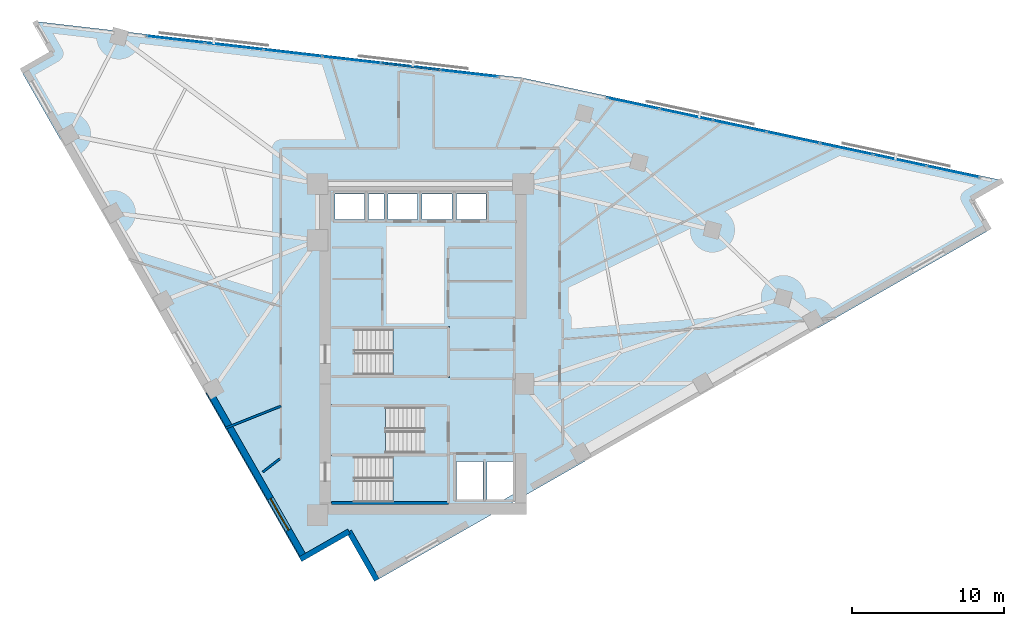
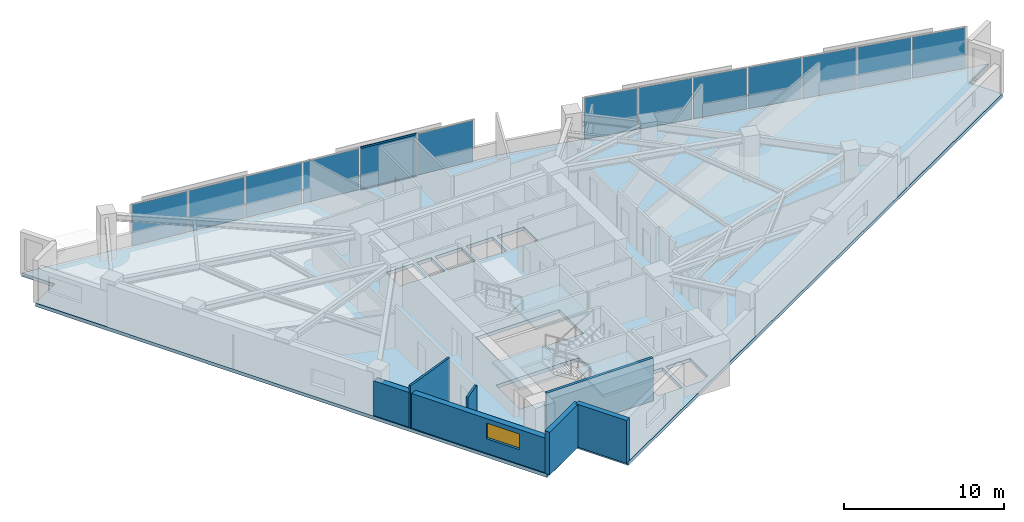
# One storey, part 8 of 14: 13 plates, 6 walls, 4 slabs, 2 members, 1 window, 1 opening, 5 elements without a shape of their own.
"""IFC4 building model written with IfcOpenShell, lengths in metres."""

from ifc_helpers import new_model, si_unit, direction, frame, frame_2d, origin, origin_2d, place, context, subcontext, project, spatial, polyline, rectangle, hollow_rectangle, outline, extrude, material, layer, layer_set, material_profile, profile_set, type_object, element, fill, aggregate, save


model = new_model("IFC4")

# Units and contexts
model_context = context("Model", 3, precision=1e-05, world=origin(), true_north=direction((0.0, 1.0)))
body_context = subcontext(model_context, "Body", "Model", "MODEL_VIEW")
ifc_project = project(units=[si_unit("LENGTHUNIT", "METRE"), si_unit("AREAUNIT", "SQUARE_METRE"), si_unit("VOLUMEUNIT", "CUBIC_METRE"), si_unit("PLANEANGLEUNIT", "RADIAN"), si_unit("MASSUNIT", "GRAM", prefix="KILO")], contexts=[model_context])

# Site, building, storey
site_placement = place(None, origin())
site = spatial("IfcSite", under=ifc_project, at=site_placement, CompositionType="ELEMENT")
building_placement = place(site_placement, origin())
building = spatial("IfcBuilding", under=site, at=building_placement, Name="Narakoshi Arena Tower", CompositionType="ELEMENT")
storey_placement = place(building_placement, frame((0.0, 0.0, 211.4599609375)))
storey = spatial("IfcBuildingStorey", under=building, at=storey_placement, Name="L57", CompositionType="ELEMENT", Elevation=211.4599609375)

# Curtain wall, members
ifc_material_1 = material(Name="Anodised bronze aluminium 6063-T6", Category="aluminium")
curtain_wall_type = type_object("IfcCurtainWallType", Name="CW-HYP-MID", PredefinedType="NOTDEFINED", material=ifc_material_1)
curtain_wall_1_placement = place(storey_placement, origin())
curtain_wall_1 = element("IfcCurtainWall", 1, at=curtain_wall_1_placement, inside=storey, type_object=curtain_wall_type, Name="L57 Folded Hypotenuse Curtain Wall 2-1", PredefinedType="NOTDEFINED")
ifc_material_profile = material_profile(ifc_material_1, hollow_rectangle(XDim=0.06494140625, YDim=0.1298828125, WallThickness=0.00390625, OuterFilletRadius=0.0048828125, at=origin_2d()), Name="TRN130x65x4")
ifc_profile_set = profile_set([ifc_material_profile], Name="Anodised bronze aluminium 6063-T6")
member_type = type_object("IfcMemberType", Name="MEM-TRN-130", PredefinedType="USERDEFINED", material=ifc_profile_set)
member_1_placement = place(storey_placement, frame((80.032470703125, 64.002685546875, 0.032470703125), z_axis=(-0.993360986362, 0.115038909828, 0.0), x_axis=(-0.115038909828, -0.993360986362, 0.0)))
member_1 = element("IfcMember", 2, at=member_1_placement, type_object=member_type, Name="CW-02 transom 2.1", ObjectType="TRANSOM", PredefinedType="USERDEFINED", context=body_context, shape_type="SweptSolid", body=[
    extrude(hollow_rectangle(XDim=0.06494140625, YDim=0.1298828125, WallThickness=0.00390625, OuterFilletRadius=0.0048828125, at=origin_2d()), origin(), (0.0, 0.0, 1.0), 3.820068359375),
])
member_2_placement = place(storey_placement, frame((80.032470703125, 64.002685546875, 3.2275390625), z_axis=(-0.993360986362, 0.115038909828, 0.0), x_axis=(-0.115038909828, -0.993360986362, 0.0)))
member_2 = element("IfcMember", 3, at=member_2_placement, type_object=member_type, Name="CW-02 transom 2.2", ObjectType="TRANSOM", PredefinedType="USERDEFINED", context=body_context, shape_type="SweptSolid", body=[
    extrude(hollow_rectangle(XDim=0.06494140625, YDim=0.1298828125, WallThickness=0.00390625, OuterFilletRadius=0.0048828125, at=origin_2d()), origin(), (0.0, 0.0, 1.0), 3.820068359375),
])

# Curtain wall, plates
curtain_wall_2_placement = place(storey_placement, origin())
curtain_wall_2 = element("IfcCurtainWall", 4, at=curtain_wall_2_placement, inside=storey, type_object=curtain_wall_type, Name="L57 Folded Hypotenuse Curtain Wall 1-1", PredefinedType="NOTDEFINED")
ifc_material_2 = material(Name="Bronze-tinted low-E laminated glass", Category="glass")
ifc_layer_1 = layer(ifc_material_2, 0.0380859375)
ifc_layer_set_1 = layer_set([ifc_layer_1], Name="Bronze-tinted low-E laminated glass")
plate_type = type_object("IfcPlateType", Name="PLT-GLZ-38", PredefinedType="CURTAIN_PANEL", material=ifc_layer_set_1)
plate_1_placement = place(storey_placement, frame((113.835205078125, 57.3095703125, 0.065185546875), z_axis=(0.0, 0.0, 1.0), x_axis=(-0.977937185914, 0.208899163248, 0.0)))
plate_1 = element("IfcPlate", 5, at=plate_1_placement, type_object=plate_type, Name="CW-02 panel 1.1", PredefinedType="CURTAIN_PANEL", context=body_context, shape_type="SweptSolid", body=[
    extrude(rectangle(XDim=3.48095703125, YDim=0.0380859375, at=origin_2d()), origin(), (0.0, 0.0, 1.0), 3.1298828125),
])
plate_2_placement = place(storey_placement, frame((110.33935546875, 58.056396484375, 0.065185546875), z_axis=(0.0, 0.0, 1.0), x_axis=(-0.977937185914, 0.208899163248, 0.0)))
plate_2 = element("IfcPlate", 6, at=plate_2_placement, type_object=plate_type, Name="CW-02 panel 2.1", PredefinedType="CURTAIN_PANEL", context=body_context, shape_type="SweptSolid", body=[
    extrude(rectangle(XDim=3.518310546875, YDim=0.0380859375, at=origin_2d()), origin(), (0.0, 0.0, 1.0), 3.1298828125),
])
plate_3_placement = place(storey_placement, frame((106.8251953125, 58.806884765625, 0.065185546875), z_axis=(0.0, 0.0, 1.0), x_axis=(-0.977937185914, 0.208899163248, 0.0)))
plate_3 = element("IfcPlate", 7, at=plate_3_placement, type_object=plate_type, Name="CW-02 panel 3.1", PredefinedType="CURTAIN_PANEL", context=body_context, shape_type="SweptSolid", body=[
    extrude(rectangle(XDim=3.518310546875, YDim=0.0380859375, at=origin_2d()), origin(), (0.0, 0.0, 1.0), 3.1298828125),
])
plate_4_placement = place(storey_placement, frame((103.31103515625, 59.5576171875, 0.065185546875), z_axis=(0.0, 0.0, 1.0), x_axis=(-0.977937185914, 0.208899163248, 0.0)))
plate_4 = element("IfcPlate", 8, at=plate_4_placement, type_object=plate_type, Name="CW-02 panel 4.1", PredefinedType="CURTAIN_PANEL", context=body_context, shape_type="SweptSolid", body=[
    extrude(rectangle(XDim=3.518310546875, YDim=0.0380859375, at=origin_2d()), origin(), (0.0, 0.0, 1.0), 3.1298828125),
])
plate_5_placement = place(storey_placement, frame((99.796875, 60.308349609375, 0.065185546875), z_axis=(0.0, 0.0, 1.0), x_axis=(-0.977937185914, 0.208899163248, 0.0)))
plate_5 = element("IfcPlate", 9, at=plate_5_placement, type_object=plate_type, Name="CW-02 panel 5.1", PredefinedType="CURTAIN_PANEL", context=body_context, shape_type="SweptSolid", body=[
    extrude(rectangle(XDim=3.518310546875, YDim=0.0380859375, at=origin_2d()), origin(), (0.0, 0.0, 1.0), 3.1298828125),
])
plate_6_placement = place(storey_placement, frame((96.282958984375, 61.058837890625, 0.065185546875), z_axis=(0.0, 0.0, 1.0), x_axis=(-0.977937185914, 0.208899163248, 0.0)))
plate_6 = element("IfcPlate", 10, at=plate_6_placement, type_object=plate_type, Name="CW-02 panel 6.1", PredefinedType="CURTAIN_PANEL", context=body_context, shape_type="SweptSolid", body=[
    extrude(rectangle(XDim=3.518310546875, YDim=0.0380859375, at=origin_2d()), origin(), (0.0, 0.0, 1.0), 3.1298828125),
])
plate_7_placement = place(storey_placement, frame((92.787109375, 61.8056640625, 0.065185546875), z_axis=(0.0, 0.0, 1.0), x_axis=(-0.977937185914, 0.208899163248, 0.0)))
plate_7 = element("IfcPlate", 11, at=plate_7_placement, type_object=plate_type, Name="CW-02 panel 7.1", PredefinedType="CURTAIN_PANEL", context=body_context, shape_type="SweptSolid", body=[
    extrude(rectangle(XDim=3.48095703125, YDim=0.0380859375, at=origin_2d()), origin(), (0.0, 0.0, 1.0), 3.1298828125),
])
aggregate(curtain_wall_2, [plate_1, plate_2, plate_3, plate_4, plate_5, plate_6, plate_7])

# Plate
plate_8_placement = place(storey_placement, frame((81.985595703125, 63.776611328125, 0.065185546875), z_axis=(0.0, 0.0, 1.0), x_axis=(-0.993364183774, 0.115011296816, 0.0)))
plate_8 = element("IfcPlate", 12, at=plate_8_placement, type_object=plate_type, Name="CW-02 panel 1.1", PredefinedType="CURTAIN_PANEL", context=body_context, shape_type="SweptSolid", body=[
    extrude(rectangle(XDim=3.782470703125, YDim=0.0380859375, at=origin_2d()), origin(), (0.0, 0.0, 1.0), 3.1298828125),
])

plate_9_placement = place(storey_placement, frame((78.13525390625, 64.222412109375, 0.065185546875), z_axis=(0.0, 0.0, 1.0), x_axis=(-0.993364183774, 0.115011296816, 0.0)))
plate_9 = element("IfcPlate", 13, at=plate_9_placement, type_object=plate_type, Name="CW-02 panel 2.1", PredefinedType="CURTAIN_PANEL", context=body_context, shape_type="SweptSolid", body=[
    extrude(rectangle(XDim=3.820068359375, YDim=0.0380859375, at=origin_2d()), origin(), (0.0, 0.0, 1.0), 3.1298828125),
])

plate_10_placement = place(storey_placement, frame((74.26611328125, 64.67041015625, 0.065185546875), z_axis=(0.0, 0.0, 1.0), x_axis=(-0.993364183774, 0.115011296816, 0.0)))
plate_10 = element("IfcPlate", 14, at=plate_10_placement, type_object=plate_type, Name="CW-02 panel 3.1", PredefinedType="CURTAIN_PANEL", context=body_context, shape_type="SweptSolid", body=[
    extrude(rectangle(XDim=3.820068359375, YDim=0.0380859375, at=origin_2d()), origin(), (0.0, 0.0, 1.0), 3.1298828125),
])

plate_11_placement = place(storey_placement, frame((70.39697265625, 65.118408203125, 0.065185546875), z_axis=(0.0, 0.0, 1.0), x_axis=(-0.993364183774, 0.115011296816, 0.0)))
plate_11 = element("IfcPlate", 15, at=plate_11_placement, type_object=plate_type, Name="CW-02 panel 4.1", PredefinedType="CURTAIN_PANEL", context=body_context, shape_type="SweptSolid", body=[
    extrude(rectangle(XDim=3.820068359375, YDim=0.0380859375, at=origin_2d()), origin(), (0.0, 0.0, 1.0), 3.1298828125),
])

plate_12_placement = place(storey_placement, frame((66.52783203125, 65.56640625, 0.065185546875), z_axis=(0.0, 0.0, 1.0), x_axis=(-0.993364183774, 0.115011296816, 0.0)))
plate_12 = element("IfcPlate", 16, at=plate_12_placement, type_object=plate_type, Name="CW-02 panel 5.1", PredefinedType="CURTAIN_PANEL", context=body_context, shape_type="SweptSolid", body=[
    extrude(rectangle(XDim=3.820068359375, YDim=0.0380859375, at=origin_2d()), origin(), (0.0, 0.0, 1.0), 3.1298828125),
])

plate_13_placement = place(storey_placement, frame((62.67724609375, 66.01220703125, 0.065185546875), z_axis=(0.0, 0.0, 1.0), x_axis=(-0.993364183774, 0.115011296816, 0.0)))
plate_13 = element("IfcPlate", 17, at=plate_13_placement, type_object=plate_type, Name="CW-02 panel 6.1", PredefinedType="CURTAIN_PANEL", context=body_context, shape_type="SweptSolid", body=[
    extrude(rectangle(XDim=3.782470703125, YDim=0.0380859375, at=origin_2d()), origin(), (0.0, 0.0, 1.0), 3.1298828125),
])

aggregate(curtain_wall_1, [plate_8, member_1, member_2, plate_9, plate_10, plate_11, plate_12, plate_13])

# Stair, slab
ifc_material_3 = material(Name="Concrete C45/55", Category="concrete")
stair_type = type_object("IfcStairType", Name="STR-CORE-352", PredefinedType="TWO_STRAIGHT_RUN_STAIR", material=ifc_material_3)
stair_1_placement = place(storey_placement, origin())
stair_1 = element("IfcStair", 18, at=stair_1_placement, inside=storey, type_object=stair_type, Name="L57 Core Escape Stair ST1", PredefinedType="TWO_STRAIGHT_RUN_STAIR")
ifc_layer_2 = layer(ifc_material_3, 0.18994140625)
ifc_layer_set_2 = layer_set([ifc_layer_2], Name="Concrete C45/55")
slab_type_1 = type_object("IfcSlabType", Name="SLB-LND-190", PredefinedType="LANDING", material=ifc_layer_set_2)
slab_1_placement = place(storey_placement, frame((0.0, 0.0, 1.570068359375)))
slab_1 = element("IfcSlab", 19, at=slab_1_placement, type_object=slab_type_1, Name="ST1 landing 1", PredefinedType="LANDING", context=body_context, shape_type="SweptSolid", body=[
    extrude(outline(polyline([(76.965087890625, 35.3701171875), (80.679931640625, 35.3701171875), (80.679931640625, 38.72998046875), (76.965087890625, 38.72998046875), (76.965087890625, 35.3701171875)])), origin(), (0.0, 0.0, 1.0), 0.18994140625),
])
aggregate(stair_1, [slab_1])

stair_2_placement = place(storey_placement, origin())
stair_2 = element("IfcStair", 20, at=stair_2_placement, inside=storey, type_object=stair_type, Name="L57 Core Escape Stair ST2", PredefinedType="TWO_STRAIGHT_RUN_STAIR")
slab_2_placement = place(storey_placement, frame((0.0, 0.0, 1.570068359375)))
slab_2 = element("IfcSlab", 21, at=slab_2_placement, type_object=slab_type_1, Name="ST2 landing 1", PredefinedType="LANDING", context=body_context, shape_type="SweptSolid", body=[
    extrude(outline(polyline([(72.77001953125, 38.6201171875), (76.485107421875, 38.6201171875), (76.485107421875, 41.97998046875), (72.77001953125, 41.97998046875), (72.77001953125, 38.6201171875)])), origin(), (0.0, 0.0, 1.0), 0.18994140625),
])
aggregate(stair_2, [slab_2])

stair_3_placement = place(storey_placement, origin())
stair_3 = element("IfcStair", 22, at=stair_3_placement, inside=storey, type_object=stair_type, Name="L57 Core Escape Stair ST3", PredefinedType="TWO_STRAIGHT_RUN_STAIR")
slab_3_placement = place(storey_placement, frame((0.0, 0.0, 1.570068359375)))
slab_3 = element("IfcSlab", 23, at=slab_3_placement, type_object=slab_type_1, Name="ST3 landing 1", PredefinedType="LANDING", context=body_context, shape_type="SweptSolid", body=[
    extrude(outline(polyline([(76.965087890625, 43.77001953125), (80.679931640625, 43.77001953125), (80.679931640625, 47.1298828125), (76.965087890625, 47.1298828125), (76.965087890625, 43.77001953125)])), origin(), (0.0, 0.0, 1.0), 0.18994140625),
])
aggregate(stair_3, [slab_3])

# Slab
ifc_material_4 = material(Name="Concrete C50/60", Category="concrete")
ifc_layer_3 = layer(ifc_material_4, 0.260009765625)
ifc_layer_set_3 = layer_set([ifc_layer_3], Name="Concrete C50/60")
slab_type_2 = type_object("IfcSlabType", Name="SLB-SKY-260", PredefinedType="FLOOR", material=ifc_layer_set_3)
slab_4_placement = place(storey_placement, frame((0.0, 0.0, -0.260009765625)))
element("IfcSlab", 24, at=slab_4_placement, inside=storey, type_object=slab_type_2, Name="L57 Structural Floor Slab", PredefinedType="FLOOR", context=body_context, shape_type="SweptSolid", body=[
    extrude(outline(polyline([(75.915771484375, 30.43017578125), (116.209716796875, 53.460205078125), (115.01904296875, 55.54345703125), (117.1025390625, 56.734375), (85.442626953125, 63.497314453125), (53.408203125, 67.2060546875), (54.59912109375, 65.122802734375), (52.515625, 63.931884765625), (70.87841796875, 31.803466796875), (74.083740234375, 33.635498046875), (75.915771484375, 30.43017578125)]), holes=[polyline([(80.5, 35.550048828125), (74.47998046875, 35.550048828125), (74.47998046875, 38.550048828125), (80.5, 38.550048828125), (80.5, 35.550048828125)]), polyline([(82.89990234375, 35.75), (81.14990234375, 35.75), (81.14990234375, 38.25), (82.89990234375, 38.25), (82.89990234375, 35.75)]), polyline([(84.89990234375, 36.08349609375), (84.316650390625, 35.75), (83.14990234375, 35.75), (83.14990234375, 38.25), (84.89990234375, 38.25), (84.89990234375, 36.08349609375)]), polyline([(72.949951171875, 38.800048828125), (72.949951171875, 41.800048828125), (78.969970703125, 41.800048828125), (78.969970703125, 38.800048828125), (72.949951171875, 38.800048828125)]), polyline([(74.47998046875, 43.949951171875), (74.47998046875, 46.949951171875), (80.5, 46.949951171875), (80.5, 43.949951171875), (74.47998046875, 43.949951171875)]), polyline([(75.10009765625, 54.14990234375), (73.14990234375, 54.14990234375), (73.14990234375, 55.85009765625), (75.10009765625, 55.85009765625), (75.10009765625, 54.14990234375)]), polyline([(76.39990234375, 54.14990234375), (75.35009765625, 54.14990234375), (75.35009765625, 55.85009765625), (76.39990234375, 55.85009765625), (76.39990234375, 54.14990234375)]), polyline([(78.60009765625, 54.14990234375), (76.64990234375, 54.14990234375), (76.64990234375, 55.85009765625), (78.60009765625, 55.85009765625), (78.60009765625, 54.14990234375)]), polyline([(78.89990234375, 54.14990234375), (78.89990234375, 55.85009765625), (80.85009765625, 55.85009765625), (80.85009765625, 54.14990234375), (78.89990234375, 54.14990234375)]), polyline([(81.14990234375, 54.14990234375), (81.14990234375, 55.85009765625), (83.10009765625, 55.85009765625), (83.10009765625, 54.14990234375), (81.14990234375, 54.14990234375)])]), origin(), (0.0, 0.0, 1.0), 0.260009765625),
])

# Wall, opening, window
ifc_material_5 = material(Name="Precast concrete C45/55", Category="concrete")
ifc_layer_4 = layer(ifc_material_5, 0.419921875)
ifc_layer_set_4 = layer_set([ifc_layer_4], Name="Precast concrete C45/55")
wall_type_1 = type_object("IfcWallType", Name="WL-POD-420", PredefinedType="SOLIDWALL", material=ifc_layer_set_4)
wall_1_placement = place(storey_placement, frame((64.873779296875, 42.863525390625, 0.0), z_axis=(0.0, 0.0, 1.0), x_axis=(0.49622043329, -0.868196568517, 0.0)))
wall_1 = element("IfcWall", 25, at=wall_1_placement, inside=storey, type_object=wall_type_1, Name="L57 Architectural Concrete Facade Wall LEGB-3", PredefinedType="SOLIDWALL", context=body_context, shape_type="SweptSolid", body=[
    extrude(rectangle(XDim=12.58203125, YDim=0.419921875, at=frame_2d((6.291015625, 0.0))), origin(), (0.0, 0.0, 1.0), 2.64501953125),
])
opening_placement = place(wall_1_placement, frame((8.135986328125, 0.0, 1.10009765625)))
opening = element("IfcOpeningElement", 26, at=opening_placement, cuts=wall_1, Name="Opening WN-04", PredefinedType="OPENING", context=body_context, shape_type="SweptSolid", body=[
    extrude(rectangle(XDim=2.39990234375, YDim=1.199951171875, at=frame_2d((1.199951171875, 0.60009765625))), frame((0.0, 0.219970703125, 0.0), z_axis=(0.0, -1.0, 0.0), x_axis=(1.0, 0.0, 0.0)), (0.0, 0.0, 1.0), 0.43994140625),
])
window_type = type_object("IfcWindowType", Name="WIN-SLT-24x12", PartitioningType="SINGLE_PANEL", PredefinedType="WINDOW", material=ifc_material_2)
window_placement = place(opening_placement, origin())
window = element("IfcWindow", 27, at=window_placement, inside=storey, type_object=window_type, Name="L57 LEGB3 Horizontal Slot Window 1", OverallHeight=1.199951171875, OverallWidth=2.39990234375, PartitioningType="SINGLE_PANEL", PredefinedType="WINDOW", context=body_context, shape_type="SweptSolid", body=[
    extrude(rectangle(XDim=2.39990234375, YDim=1.199951171875, at=frame_2d((1.199951171875, 0.60009765625))), frame((0.0, 0.030029296875, 0.0), z_axis=(0.0, -1.0, 0.0), x_axis=(1.0, 0.0, 0.0)), (0.0, 0.0, 1.0), 0.06005859375),
])
fill(opening, window)

# Walls
for number, where, z_axis, x_axis, name in (
    (28, (70.87841796875, 31.803466796875, 0.0), (0.0, 0.0, 1.0), (0.868194304946, 0.496224393656, 0.0), "L57 Re-Entrant Corner Notch Wall NTA-1"),
    (29, (74.083740234375, 33.635498046875, 0.0), (0.0, 0.0, 1.0), (0.496224393656, -0.868194304946, 0.0), "L57 Re-Entrant Corner Notch Wall NTA-2"),
):
    element("IfcWall", number, at=place(storey_placement, frame(where, z_axis=z_axis, x_axis=x_axis)), inside=storey, type_object=wall_type_1, Name=name, PredefinedType="SOLIDWALL", context=body_context, shape_type="SweptSolid", body=[
        extrude(rectangle(XDim=3.69189453125, YDim=0.360107421875, at=frame_2d((1.845947265625, 0.0))), origin(), (0.0, 0.0, 1.0), 3.260009765625),
    ])
ifc_layer_5 = layer(ifc_material_4, 0.35009765625)
ifc_layer_set_5 = layer_set([ifc_layer_5], Name="Concrete C50/60")
wall_type_2 = type_object("IfcWallType", Name="WL-SHAFT-350", PredefinedType="SOLIDWALL", material=ifc_layer_set_5)
wall_2_placement = place(storey_placement, frame((72.919921875, 35.52001953125, -0.260009765625), z_axis=(0.0, 0.0, 1.0), x_axis=(1.0, 0.0, 0.0)))
element("IfcWall", 30, at=wall_2_placement, inside=storey, type_object=wall_type_2, Name="L57 Core Wall ST1-S", PredefinedType="SOLIDWALL", context=body_context, shape_type="SweptSolid", body=[
    extrude(rectangle(XDim=7.7001953125, YDim=0.199951171875, at=frame_2d((3.85009765625, 0.0))), origin(), (0.0, 0.0, 1.0), 3.52001953125),
])
ifc_material_6 = material(Name="Moisture-resistant cement-board partition")
ifc_layer_6 = layer(ifc_material_6, 0.14501953125)
ifc_layer_set_6 = layer_set([ifc_layer_6], Name="Moisture-resistant cement-board partition")
wall_type_3 = type_object("IfcWallType", Name="WL-WET-145", PredefinedType="PARTITIONING", material=ifc_layer_set_6)
wall_3_placement = place(storey_placement, frame((69.60009765625, 41.882568359375, 0.0), z_axis=(0.0, 0.0, 1.0), x_axis=(-0.929062455661, -0.369922902077, 0.0)))
element("IfcWall", 31, at=wall_3_placement, inside=storey, type_object=wall_type_3, Name="L57 Inter-Room Partition 01-02", PredefinedType="PARTITIONING", context=body_context, shape_type="SweptSolid", body=[
    extrude(rectangle(XDim=3.93017578125, YDim=0.14501953125, at=frame_2d((1.965087890625, 0.0))), origin(), (0.0, 0.0, 1.0), 3.260009765625),
])
wall_4_placement = place(storey_placement, frame((69.5400390625, 38.423095703125, 0.0), z_axis=(0.0, 0.0, 1.0), x_axis=(-0.789820245104, -0.613338389818, 0.0)))
element("IfcWall", 32, at=wall_4_placement, inside=storey, type_object=wall_type_3, Name="L57 Room Enclosure Partition 02-1", PredefinedType="PARTITIONING", context=body_context, shape_type="SweptSolid", body=[
    extrude(rectangle(XDim=1.431884765625, YDim=0.14501953125, at=frame_2d((0.7158203125, 0.0))), origin(), (0.0, 0.0, 1.0), 3.260009765625),
])

save(model, "model.ifc")
